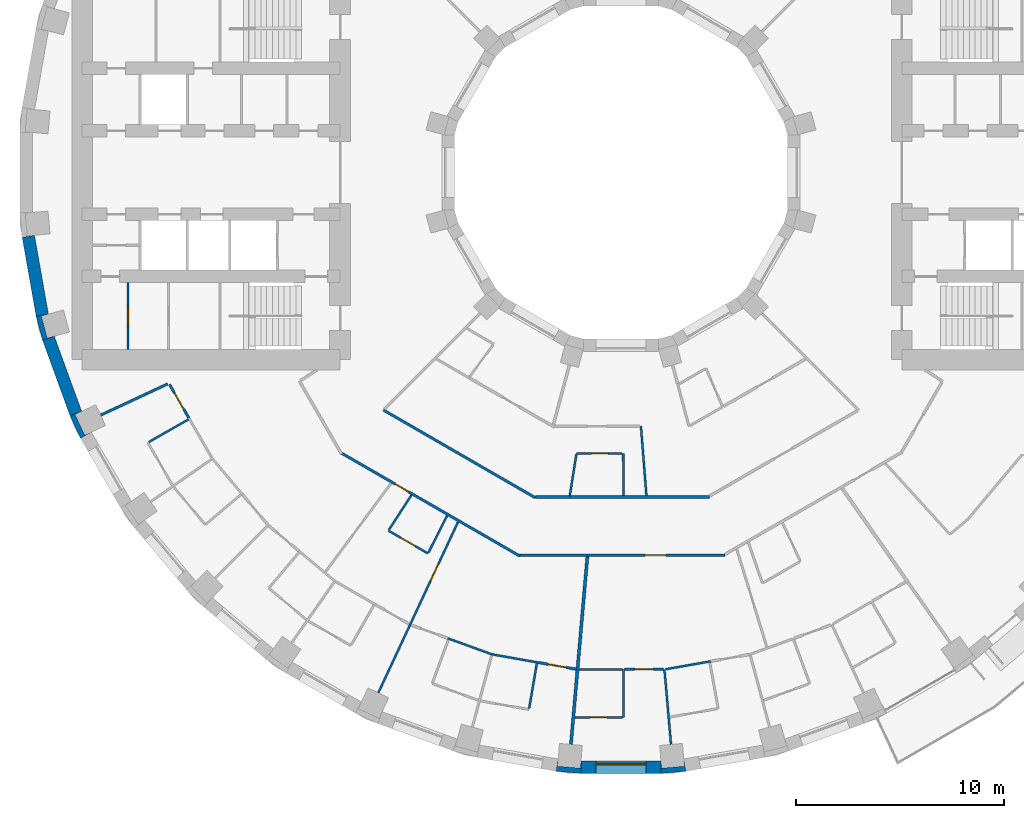
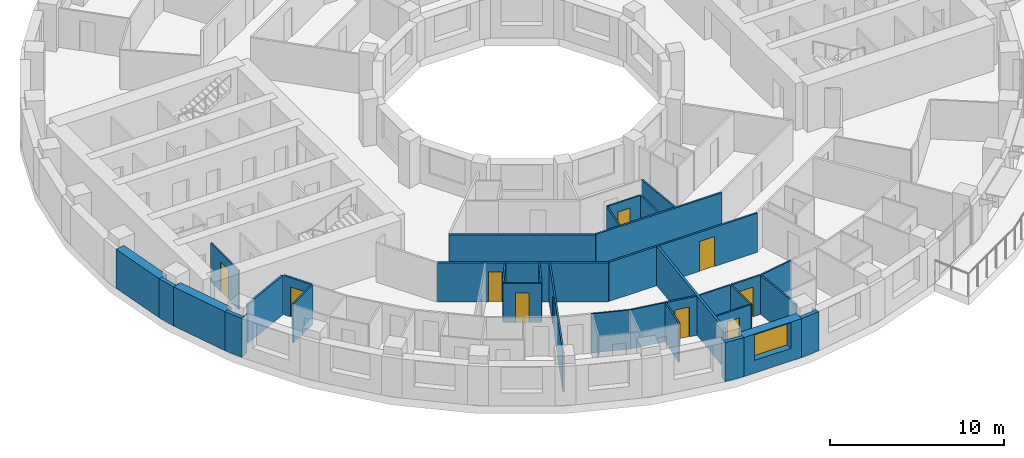
# One storey, part 5 of 15: 34 walls, 10 doors, 1 window, 11 openings.
"""IFC4 building model written with IfcOpenShell, lengths in metres."""

from ifc_helpers import new_model, si_unit, direction, frame, frame_2d, origin, place, context, subcontext, project, spatial, polyline, rectangle, outline, extrude, material, layer, layer_set, type_object, element, fill, save


model = new_model("IFC4")

# Units and contexts
model_context = context("Model", 3, precision=1e-05, world=origin(), true_north=direction((0.0, 1.0)))
body_context = subcontext(model_context, "Body", "Model", "MODEL_VIEW")
ifc_project = project(units=[si_unit("LENGTHUNIT", "METRE"), si_unit("AREAUNIT", "SQUARE_METRE"), si_unit("VOLUMEUNIT", "CUBIC_METRE"), si_unit("PLANEANGLEUNIT", "RADIAN"), si_unit("MASSUNIT", "GRAM", prefix="KILO")], contexts=[model_context])

# Site, building, storey
site_placement = place(None, origin())
site = spatial("IfcSite", under=ifc_project, at=site_placement, CompositionType="ELEMENT")
building_placement = place(site_placement, origin())
building = spatial("IfcBuilding", under=site, at=building_placement, Name="Saqina Gate Tower", CompositionType="ELEMENT")
storey_placement = place(building_placement, frame((0.0, 0.0, 36.199951171875)))
storey = spatial("IfcBuildingStorey", under=building, at=storey_placement, Name="L09", CompositionType="ELEMENT", Elevation=36.199951171875)

# Walls
ifc_material_1 = material(Name="Brick masonry (red)", Category="masonry")
wall_type_1 = type_object("IfcWallType", Name="BRICK PIER COPING RED", PredefinedType="SOLIDWALL", material=ifc_material_1)
wall_1_placement = place(storey_placement, origin())
element("IfcWall", 1, at=wall_1_placement, inside=storey, type_object=wall_type_1, Name="Pier cap L09 column 20", PredefinedType="SOLIDWALL", context=body_context, shape_type="SweptSolid", body=[
    extrude(outline(polyline([(-28.11669921875, -6.910400390625), (-27.80517578125, -8.073974609375), (-27.2412109375, -7.86865234375), (-27.57958984375, -7.95947265625), (-27.864501953125, -6.896728515625), (-27.52587890625, -6.80615234375), (-28.11669921875, -6.910400390625)])), origin(), (0.0, 0.0, 1.0), 2.75),
])
wall_2_placement = place(storey_placement, origin())
element("IfcWall", 2, at=wall_2_placement, inside=storey, type_object=wall_type_1, Name="Pier cap L09 column 21", PredefinedType="SOLIDWALL", context=body_context, shape_type="SweptSolid", body=[
    extrude(outline(polyline([(-25.980712890625, -12.779541015625), (-25.4609375, -12.4794921875), (-25.778564453125, -12.627685546875), (-26.243408203125, -11.630615234375), (-25.92578125, -11.482666015625), (-26.48974609375, -11.687744140625), (-25.980712890625, -12.779541015625)])), origin(), (0.0, 0.0, 1.0), 2.75),
])
wall_3_placement = place(storey_placement, origin())
element("IfcWall", 3, at=wall_3_placement, inside=storey, type_object=wall_type_1, Name="Pier cap L09 column 27", PredefinedType="SOLIDWALL", context=body_context, shape_type="SweptSolid", body=[
    extrude(outline(polyline([(-3.122802734375, -28.78466796875), (-1.9228515625, -28.8896484375), (-1.9228515625, -28.28955078125), (-1.95361328125, -28.638671875), (-3.04931640625, -28.54296875), (-3.018798828125, -28.19384765625), (-3.122802734375, -28.78466796875)])), origin(), (0.0, 0.0, 1.0), 2.75),
])
wall_4_placement = place(storey_placement, origin())
element("IfcWall", 4, at=wall_4_placement, inside=storey, type_object=wall_type_1, Name="Pier cap L09 column 28", PredefinedType="SOLIDWALL", context=body_context, shape_type="SweptSolid", body=[
    extrude(outline(polyline([(1.9228515625, -28.8896484375), (3.122802734375, -28.78466796875), (3.018798828125, -28.19384765625), (3.04931640625, -28.54296875), (1.95361328125, -28.638671875), (1.9228515625, -28.28955078125), (1.9228515625, -28.8896484375)])), origin(), (0.0, 0.0, 1.0), 2.75),
])

# Wall, opening, door
ifc_material_2 = material(Name="Gypsum board on steel studs", Category="steel")
ifc_layer_1 = layer(ifc_material_2, 0.10009765625)
ifc_layer_set_1 = layer_set([ifc_layer_1], Name="CORE PARTITION")
wall_type_2 = type_object("IfcWallType", Name="CORE PARTITION", PredefinedType="PARTITIONING", material=ifc_layer_set_1)
wall_5_placement = place(storey_placement, frame((-23.697509765625, -8.5, 0.0), z_axis=(0.0, 0.0, 1.0), x_axis=(0.0, 1.0, 0.0)))
wall_5 = element("IfcWall", 5, at=wall_5_placement, inside=storey, type_object=wall_type_2, Name="L09-CP-W14", PredefinedType="PARTITIONING", context=body_context, shape_type="SweptSolid", body=[
    extrude(rectangle(XDim=3.199951171875, YDim=0.10009765625, at=frame_2d((1.60009765625, 0.0))), origin(), (0.0, 0.0, 1.0), 2.75),
])
opening_1_placement = place(wall_5_placement, frame((1.14990234375, 0.0, 0.0)))
opening_1 = element("IfcOpeningElement", 6, at=opening_1_placement, cuts=wall_5, Name="Opening G02-D115", PredefinedType="OPENING", context=body_context, shape_type="SweptSolid", body=[
    extrude(rectangle(XDim=0.89990234375, YDim=2.10009765625, at=frame_2d((0.449951171875, 1.050048828125))), frame((0.0, 0.06201171875, 0.0), z_axis=(0.0, -1.0, 0.0), x_axis=(1.0, 0.0, 0.0)), (0.0, 0.0, 1.0), 0.1240234375),
])
ifc_material_3 = material(Name="Steel-framed fire door leaf, EI 60", Category="steel")
door_type_1 = type_object("IfcDoorType", Name="SERVICE ROOM DOOR 900", OperationType="SINGLE_SWING_LEFT", PredefinedType="DOOR", material=ifc_material_3)
door_1_placement = place(opening_1_placement, frame((0.89990234375, 0.0, 0.0), z_axis=(0.0, 0.0, 1.0), x_axis=(-1.0, 0.0, 0.0)))
door_1 = element("IfcDoor", 7, at=door_1_placement, inside=storey, type_object=door_type_1, Name="L09-CD-W26", OperationType="SINGLE_SWING_RIGHT", OverallHeight=2.10009765625, OverallWidth=0.89990234375, PredefinedType="DOOR", context=body_context, shape_type="SweptSolid", body=[
    extrude(rectangle(XDim=0.89990234375, YDim=2.10009765625, at=frame_2d((0.449951171875, 1.050048828125))), frame((0.0, 0.02490234375, 0.0), z_axis=(0.0, -1.0, 0.0), x_axis=(1.0, 0.0, 0.0)), (0.0, 0.0, 1.0), 0.050048828125),
])
fill(opening_1, door_1)

# Wall, opening, window
ifc_material_4 = material(Name="Brick masonry (red)", Category="masonry")
ifc_layer_2 = layer(ifc_material_4, 0.60009765625)
ifc_layer_set_2 = layer_set([ifc_layer_2], Name="FW-BRICK-RED")
wall_type_3 = type_object("IfcWallType", Name="FW-BRICK-RED", PredefinedType="SOLIDWALL", material=ifc_layer_set_2)
wall_6_placement = place(storey_placement, frame((-1.9228515625, -28.589599609375, 0.0), z_axis=(0.0, 0.0, 1.0), x_axis=(1.0, 0.0, 0.0)))
wall_6 = element("IfcWall", 8, at=wall_6_placement, inside=storey, type_object=wall_type_3, Name="Facade wall L09 facet 27", PredefinedType="SOLIDWALL", context=body_context, shape_type="SweptSolid", body=[
    extrude(rectangle(XDim=3.845703125, YDim=0.60009765625, at=frame_2d((1.9228515625, 0.0))), origin(), (0.0, 0.0, 1.0), 2.75),
])
opening_2_placement = place(wall_6_placement, frame((0.722900390625, 0.0, 0.89990234375)))
opening_2 = element("IfcOpeningElement", 9, at=opening_2_placement, cuts=wall_6, Name="Opening G02-W20", PredefinedType="OPENING", context=body_context, shape_type="SweptSolid", body=[
    extrude(rectangle(XDim=2.39990234375, YDim=1.800048828125, at=frame_2d((1.199951171875, 0.89990234375))), frame((0.0, 0.31201171875, 0.0), z_axis=(0.0, -1.0, 0.0), x_axis=(1.0, 0.0, 0.0)), (0.0, 0.0, 1.0), 0.6240234375),
])
ifc_material_5 = material(Name="Aluminium glazing", Category="aluminium")
window_type = type_object("IfcWindowType", Name="WN-A", PartitioningType="SINGLE_PANEL", PredefinedType="WINDOW", material=ifc_material_5)
window_placement = place(opening_2_placement, origin())
window = element("IfcWindow", 10, at=window_placement, inside=storey, type_object=window_type, Name="Window L09 facet 27", OverallHeight=1.800048828125, OverallWidth=2.39990234375, PartitioningType="SINGLE_PANEL", PredefinedType="WINDOW", context=body_context, shape_type="SweptSolid", body=[
    extrude(rectangle(XDim=2.39990234375, YDim=1.800048828125, at=frame_2d((1.199951171875, 0.89990234375))), frame((0.0, 0.179931640625, 0.0), z_axis=(0.0, -1.0, 0.0), x_axis=(1.0, 0.0, 0.0)), (0.0, 0.0, 1.0), 0.06005859375),
])
fill(opening_2, window)

# Walls
ifc_material_6 = material(Name="Glazed ceramic tile", Category="ceramic")
ifc_layer_3 = layer(ifc_material_6, 0.60009765625)
ifc_layer_set_3 = layer_set([ifc_layer_3], Name="FW-TILE")
wall_type_4 = type_object("IfcWallType", Name="FW-TILE", PredefinedType="SOLIDWALL", material=ifc_layer_set_3)
wall_7_placement = place(storey_placement, frame((-27.523193359375, -7.97119140625, 0.0), z_axis=(0.0, 0.0, 1.0), x_axis=(0.342028474173, -0.939689588564, 0.0)))
element("IfcWall", 11, at=wall_7_placement, inside=storey, type_object=wall_type_4, Name="Facade wall L09 facet 20", PredefinedType="SOLIDWALL", context=body_context, shape_type="SweptSolid", body=[
    extrude(rectangle(XDim=3.845947265625, YDim=0.60009765625, at=frame_2d((1.9228515625, 0.0))), origin(), (0.0, 0.0, 1.0), 2.75),
])
ifc_material_7 = material(Name="Glazed ceramic tile (white)", Category="ceramic")
ifc_layer_4 = layer(ifc_material_7, 0.60009765625)
ifc_layer_set_4 = layer_set([ifc_layer_4], Name="FW-TILE-WH")
wall_type_5 = type_object("IfcWallType", Name="FW-TILE-WH", PredefinedType="SOLIDWALL", material=ifc_layer_set_4)
wall_8_placement = place(storey_placement, frame((-28.4892578125, -3.07080078125, 0.0), z_axis=(0.0, 0.0, 1.0), x_axis=(0.173687553279, -0.984800809218, 0.0)))
element("IfcWall", 12, at=wall_8_placement, inside=storey, type_object=wall_type_5, Name="Facade wall L09 facet 19", PredefinedType="SOLIDWALL", context=body_context, shape_type="SweptSolid", body=[
    extrude(rectangle(XDim=3.845703125, YDim=0.60009765625, at=frame_2d((1.9228515625, 0.0))), origin(), (0.0, 0.0, 1.0), 2.75),
])
ifc_material_8 = material(Name="Gypsum board on steel studs, 100 mm", Category="steel")
ifc_layer_5 = layer(ifc_material_8, 0.10009765625)
ifc_layer_set_5 = layer_set([ifc_layer_5], Name="PARTITION 100")
wall_type_6 = type_object("IfcWallType", Name="PARTITION 100", PredefinedType="PARTITIONING", material=ifc_layer_set_5)
wall_9_placement = place(storey_placement, frame((0.114990234375, -23.889892578125, 0.0), z_axis=(0.0, 0.0, 1.0), x_axis=(0.004776508509, -0.999988592418, 0.0)))
element("IfcWall", 13, at=wall_9_placement, inside=storey, type_object=wall_type_6, Name="PARTITION PW3-01", PredefinedType="PARTITIONING", context=body_context, shape_type="SweptSolid", body=[
    extrude(rectangle(XDim=2.300048828125, YDim=0.10009765625, at=frame_2d((1.14990234375, 0.0))), origin(), (0.0, 0.0, 1.0), 2.75),
])
wall_10_placement = place(storey_placement, frame((0.10791015625, -13.5, 0.0), z_axis=(0.0, 0.0, 1.0), x_axis=(0.008147345204, -0.999966809832, 0.0)))
element("IfcWall", 14, at=wall_10_placement, inside=storey, type_object=wall_type_6, Name="PARTITION PW3-02", PredefinedType="PARTITIONING", context=body_context, shape_type="SweptSolid", body=[
    extrude(rectangle(XDim=2.03759765625, YDim=0.10009765625, at=frame_2d((1.018798828125, 0.0))), origin(), (0.0, 0.0, 1.0), 2.75),
])
wall_11_placement = place(storey_placement, frame((0.9599609375, -12.199951171875, 0.0), z_axis=(0.0, 0.0, 1.0), x_axis=(0.078609037554, -0.996905521709, 0.0)))
element("IfcWall", 15, at=wall_11_placement, inside=storey, type_object=wall_type_6, Name="PARTITION PW3-03", PredefinedType="PARTITIONING", context=body_context, shape_type="SweptSolid", body=[
    extrude(rectangle(XDim=3.347900390625, YDim=0.10009765625, at=frame_2d((1.673828125, 0.0))), origin(), (0.0, 0.0, 1.0), 2.75),
])
wall_12_placement = place(storey_placement, frame((2.090087890625, -23.889892578125, 0.0), z_axis=(0.0, 0.0, 1.0), x_axis=(0.08706456859, -0.996202670593, 0.0)))
element("IfcWall", 16, at=wall_12_placement, inside=storey, type_object=wall_type_6, Name="PARTITION PW3-06", PredefinedType="PARTITIONING", context=body_context, shape_type="SweptSolid", body=[
    extrude(rectangle(XDim=3.60888671875, YDim=0.10009765625, at=frame_2d((1.804443359375, 0.0))), origin(), (0.0, 0.0, 1.0), 2.75),
])

# Wall, opening, door
wall_13_placement = place(storey_placement, frame((-11.179931640625, -17.216064453125, 0.0), z_axis=(0.0, 0.0, 1.0), x_axis=(0.865970937006, -0.500094327363, 0.0)))
wall_13 = element("IfcWall", 17, at=wall_13_placement, inside=storey, type_object=wall_type_6, Name="PARTITION PW3-42", PredefinedType="PARTITIONING", context=body_context, shape_type="SweptSolid", body=[
    extrude(rectangle(XDim=2.197265625, YDim=0.10009765625, at=frame_2d((1.0986328125, 0.0))), origin(), (0.0, 0.0, 1.0), 2.75),
])
opening_3_placement = place(wall_13_placement, frame((0.69873046875, 0.0, 0.0)))
opening_3 = element("IfcOpeningElement", 18, at=opening_3_placement, cuts=wall_13, Name="Opening G02-D42", PredefinedType="OPENING", context=body_context, shape_type="SweptSolid", body=[
    extrude(rectangle(XDim=0.800048828125, YDim=2.10009765625, at=frame_2d((0.39990234375, 1.050048828125))), frame((0.0, 0.06201171875, 0.0), z_axis=(0.0, -1.0, 0.0), x_axis=(1.0, 0.0, 0.0)), (0.0, 0.0, 1.0), 0.1240234375),
])
ifc_material_9 = material(Name="Timber door leaf, 800 mm", Category="wood")
door_type_2 = type_object("IfcDoorType", Name="DOOR 800 TIMBER", OperationType="SINGLE_SWING_LEFT", PredefinedType="DOOR", material=ifc_material_9)
door_2_placement = place(opening_3_placement, frame((0.800048828125, 0.0, 0.0), z_axis=(0.0, 0.0, 1.0), x_axis=(-1.0, 0.0, 0.0)))
door_2 = element("IfcDoor", 19, at=door_2_placement, inside=storey, type_object=door_type_2, Name="DOOR G02-D42", OperationType="SINGLE_SWING_LEFT", OverallHeight=2.10009765625, OverallWidth=0.800048828125, PredefinedType="DOOR", context=body_context, shape_type="SweptSolid", body=[
    extrude(rectangle(XDim=0.800048828125, YDim=2.10009765625, at=frame_2d((0.39990234375, 1.050048828125))), frame((0.0, 0.02490234375, 0.0), z_axis=(0.0, -1.0, 0.0), x_axis=(1.0, 0.0, 0.0)), (0.0, 0.0, 1.0), 0.050048828125),
])
fill(opening_3, door_2)

# Walls
wall_14_placement = place(storey_placement, frame((-8.325927734375, -22.392822265625, 0.0), z_axis=(0.0, 0.0, 1.0), x_axis=(0.939700645731, -0.341998094165, 0.0)))
element("IfcWall", 20, at=wall_14_placement, inside=storey, type_object=wall_type_6, Name="PARTITION PW3-50", PredefinedType="PARTITIONING", context=body_context, shape_type="SweptSolid", body=[
    extrude(rectangle(XDim=2.3056640625, YDim=0.10009765625, at=frame_2d((1.15283203125, 0.0))), origin(), (0.0, 0.0, 1.0), 2.75),
])
wall_15_placement = place(storey_placement, frame((-6.15771484375, -23.172607421875, 0.0), z_axis=(0.0, 0.0, 1.0), x_axis=(0.984800270927, -0.173690605338, 0.0)))
element("IfcWall", 21, at=wall_15_placement, inside=storey, type_object=wall_type_6, Name="PARTITION PW3-54", PredefinedType="PARTITIONING", context=body_context, shape_type="SweptSolid", body=[
    extrude(rectangle(XDim=2.205322265625, YDim=0.10009765625, at=frame_2d((1.1025390625, 0.0))), origin(), (0.0, 0.0, 1.0), 2.75),
])

# Wall, opening, door
wall_16_placement = place(storey_placement, frame((-2.216064453125, -26.18994140625, 0.0), z_axis=(0.0, 0.0, 1.0), x_axis=(1.0, 0.0, 0.0)))
wall_16 = element("IfcWall", 22, at=wall_16_placement, inside=storey, type_object=wall_type_6, Name="PARTITION PW3-57", PredefinedType="PARTITIONING", context=body_context, shape_type="SweptSolid", body=[
    extrude(rectangle(XDim=2.2919921875, YDim=0.10009765625, at=frame_2d((1.14599609375, 0.0))), origin(), (0.0, 0.0, 1.0), 2.75),
])
opening_4_placement = place(wall_16_placement, frame((0.7333984375, 0.0, 0.0)))
opening_4 = element("IfcOpeningElement", 23, at=opening_4_placement, cuts=wall_16, Name="Opening G02-D52", PredefinedType="OPENING", context=body_context, shape_type="SweptSolid", body=[
    extrude(rectangle(XDim=0.800048828125, YDim=2.10009765625, at=frame_2d((0.39990234375, 1.050048828125))), frame((0.0, 0.06201171875, 0.0), z_axis=(0.0, -1.0, 0.0), x_axis=(1.0, 0.0, 0.0)), (0.0, 0.0, 1.0), 0.1240234375),
])
door_3_placement = place(opening_4_placement, frame((0.800048828125, 0.0, 0.0), z_axis=(0.0, 0.0, 1.0), x_axis=(-1.0, 0.0, 0.0)))
door_3 = element("IfcDoor", 24, at=door_3_placement, inside=storey, type_object=door_type_2, Name="DOOR G02-D52", OperationType="SINGLE_SWING_RIGHT", OverallHeight=2.10009765625, OverallWidth=0.800048828125, PredefinedType="DOOR", context=body_context, shape_type="SweptSolid", body=[
    extrude(rectangle(XDim=0.800048828125, YDim=2.10009765625, at=frame_2d((0.39990234375, 1.050048828125))), frame((0.0, 0.02490234375, 0.0), z_axis=(0.0, -1.0, 0.0), x_axis=(1.0, 0.0, 0.0)), (0.0, 0.0, 1.0), 0.050048828125),
])
fill(opening_4, door_3)

# Wall
wall_17_placement = place(storey_placement, frame((-2.014892578125, -23.889892578125, 0.0), z_axis=(0.0, 0.0, 1.0), x_axis=(1.0, 0.0, 0.0)))
element("IfcWall", 25, at=wall_17_placement, inside=storey, type_object=wall_type_6, Name="PARTITION PW3-58", PredefinedType="PARTITIONING", context=body_context, shape_type="SweptSolid", body=[
    extrude(rectangle(XDim=2.079833984375, YDim=0.10009765625, at=frame_2d((1.0400390625, 0.0))), origin(), (0.0, 0.0, 1.0), 2.75),
])

# Wall, opening, door
wall_18_placement = place(storey_placement, frame((-2.137939453125, -13.5, 0.0), z_axis=(0.0, 0.0, 1.0), x_axis=(1.0, 0.0, 0.0)))
wall_18 = element("IfcWall", 26, at=wall_18_placement, inside=storey, type_object=wall_type_6, Name="PARTITION PW3-59", PredefinedType="PARTITIONING", context=body_context, shape_type="SweptSolid", body=[
    extrude(rectangle(XDim=2.196044921875, YDim=0.10009765625, at=frame_2d((1.09814453125, 0.0))), origin(), (0.0, 0.0, 1.0), 2.75),
])
opening_5_placement = place(wall_18_placement, frame((0.722900390625, 0.0, 0.0)))
opening_5 = element("IfcOpeningElement", 27, at=opening_5_placement, cuts=wall_18, Name="Opening G02-D51", PredefinedType="OPENING", context=body_context, shape_type="SweptSolid", body=[
    extrude(rectangle(XDim=0.800048828125, YDim=2.10009765625, at=frame_2d((0.39990234375, 1.050048828125))), frame((0.0, 0.06201171875, 0.0), z_axis=(0.0, -1.0, 0.0), x_axis=(1.0, 0.0, 0.0)), (0.0, 0.0, 1.0), 0.1240234375),
])
door_4_placement = place(opening_5_placement, origin())
door_4 = element("IfcDoor", 28, at=door_4_placement, inside=storey, type_object=door_type_2, Name="DOOR G02-D51", OperationType="SINGLE_SWING_RIGHT", OverallHeight=2.10009765625, OverallWidth=0.800048828125, PredefinedType="DOOR", context=body_context, shape_type="SweptSolid", body=[
    extrude(rectangle(XDim=0.800048828125, YDim=2.10009765625, at=frame_2d((0.39990234375, 1.050048828125))), frame((0.0, 0.02490234375, 0.0), z_axis=(0.0, -1.0, 0.0), x_axis=(1.0, 0.0, 0.0)), (0.0, 0.0, 1.0), 0.050048828125),
])
fill(opening_5, door_4)

# Walls
wall_19_placement = place(storey_placement, frame((2.151611328125, -23.879150390625, 0.0), z_axis=(0.0, 0.0, 1.0), x_axis=(0.984803725636, 0.173671016504, 0.0)))
element("IfcWall", 29, at=wall_19_placement, inside=storey, type_object=wall_type_6, Name="PARTITION PW3-66", PredefinedType="PARTITIONING", context=body_context, shape_type="SweptSolid", body=[
    extrude(rectangle(XDim=2.193115234375, YDim=0.10009765625, at=frame_2d((1.0966796875, 0.0))), origin(), (0.0, 0.0, 1.0), 2.75),
])
wall_20_placement = place(storey_placement, frame((-22.70068359375, -12.960205078125, 0.0), z_axis=(0.0, 0.0, 1.0), x_axis=(0.86847529617, 0.495732447942, 0.0)))
element("IfcWall", 30, at=wall_20_placement, inside=storey, type_object=wall_type_6, Name="PARTITION PW3-73", PredefinedType="PARTITIONING", context=body_context, shape_type="SweptSolid", body=[
    extrude(rectangle(XDim=2.199462890625, YDim=0.10009765625, at=frame_2d((1.099609375, 0.0))), origin(), (0.0, 0.0, 1.0), 2.75),
])
wall_21_placement = place(storey_placement, frame((-11.15283203125, -17.174072265625, 0.0), z_axis=(0.0, 0.0, 1.0), x_axis=(0.544664848093, 0.838653804172, 0.0)))
element("IfcWall", 31, at=wall_21_placement, inside=storey, type_object=wall_type_6, Name="PARTITION PW3-99", PredefinedType="PARTITIONING", context=body_context, shape_type="SweptSolid", body=[
    extrude(rectangle(XDim=1.98974609375, YDim=0.10009765625, at=frame_2d((0.994873046875, 0.0))), origin(), (0.0, 0.0, 1.0), 2.75),
])
wall_22_placement = place(storey_placement, frame((-9.25439453125, -18.2705078125, 0.0), z_axis=(0.0, 0.0, 1.0), x_axis=(0.451770869898, 0.89213400401, 0.0)))
element("IfcWall", 32, at=wall_22_placement, inside=storey, type_object=wall_type_6, Name="PARTITION PW3-102", PredefinedType="PARTITIONING", context=body_context, shape_type="SweptSolid", body=[
    extrude(rectangle(XDim=1.990234375, YDim=0.10009765625, at=frame_2d((0.9951171875, 0.0))), origin(), (0.0, 0.0, 1.0), 2.75),
])

# Wall, opening, door
wall_23_placement = place(storey_placement, frame((-11.660400390625, -25.0048828125, 0.0), z_axis=(0.0, 0.0, 1.0), x_axis=(0.422646386434, 0.906294671745, 0.0)))
wall_23 = element("IfcWall", 33, at=wall_23_placement, inside=storey, type_object=wall_type_6, Name="PARTITION PW3-104", PredefinedType="PARTITIONING", context=body_context, shape_type="SweptSolid", body=[
    extrude(rectangle(XDim=9.056884765625, YDim=0.10009765625, at=frame_2d((4.5283203125, 0.0))), origin(), (0.0, 0.0, 1.0), 2.75),
])
opening_6_placement = place(wall_23_placement, frame((5.914306640625, 0.0, 0.0)))
opening_6 = element("IfcOpeningElement", 34, at=opening_6_placement, cuts=wall_23, Name="Opening G02-D45", PredefinedType="OPENING", context=body_context, shape_type="SweptSolid", body=[
    extrude(rectangle(XDim=0.89990234375, YDim=2.10009765625, at=frame_2d((0.449951171875, 1.050048828125))), frame((0.0, 0.06201171875, 0.0), z_axis=(0.0, -1.0, 0.0), x_axis=(1.0, 0.0, 0.0)), (0.0, 0.0, 1.0), 0.1240234375),
])
ifc_material_10 = material(Name="Timber door leaf, 900 mm", Category="wood")
door_type_3 = type_object("IfcDoorType", Name="DOOR 900 TIMBER", OperationType="SINGLE_SWING_LEFT", PredefinedType="DOOR", material=ifc_material_10)
door_5_placement = place(opening_6_placement, frame((0.89990234375, 0.0, 0.0), z_axis=(0.0, 0.0, 1.0), x_axis=(-1.0, 0.0, 0.0)))
door_5 = element("IfcDoor", 35, at=door_5_placement, inside=storey, type_object=door_type_3, Name="DOOR G02-D45", OperationType="SINGLE_SWING_LEFT", OverallHeight=2.10009765625, OverallWidth=0.89990234375, PredefinedType="DOOR", context=body_context, shape_type="SweptSolid", body=[
    extrude(rectangle(XDim=0.89990234375, YDim=2.10009765625, at=frame_2d((0.449951171875, 1.050048828125))), frame((0.0, 0.02490234375, 0.0), z_axis=(0.0, -1.0, 0.0), x_axis=(1.0, 0.0, 0.0)), (0.0, 0.0, 1.0), 0.050048828125),
])
fill(opening_6, door_5)

# Walls
wall_24_placement = place(storey_placement, frame((-4.41455078125, -25.7646484375, 0.0), z_axis=(0.0, 0.0, 1.0), x_axis=(0.168650911642, 0.985675844283, 0.0)))
element("IfcWall", 36, at=wall_24_placement, inside=storey, type_object=wall_type_6, Name="PARTITION PW3-110", PredefinedType="PARTITIONING", context=body_context, shape_type="SweptSolid", body=[
    extrude(rectangle(XDim=2.187255859375, YDim=0.10009765625, at=frame_2d((1.09375, 0.0))), origin(), (0.0, 0.0, 1.0), 2.75),
])
wall_25_placement = place(storey_placement, frame((-2.461181640625, -15.538330078125, 0.0), z_axis=(0.0, 0.0, 1.0), x_axis=(0.156628645525, 0.98765756586, 0.0)))
element("IfcWall", 37, at=wall_25_placement, inside=storey, type_object=wall_type_6, Name="PARTITION PW3-111", PredefinedType="PARTITIONING", context=body_context, shape_type="SweptSolid", body=[
    extrude(rectangle(XDim=2.013916015625, YDim=0.10009765625, at=frame_2d((1.0068359375, 0.0))), origin(), (0.0, 0.0, 1.0), 2.75),
])

# Wall, opening, door
ifc_material_11 = material(Name="Gypsum board on steel studs, 125 mm, fire rated", Category="steel")
ifc_layer_6 = layer(ifc_material_11, 0.125)
ifc_layer_set_6 = layer_set([ifc_layer_6], Name="PARTITION EI 30 125")
wall_type_7 = type_object("IfcWallType", Name="PARTITION EI 30 125", PredefinedType="PARTITIONING", material=ifc_layer_set_6)
wall_26_placement = place(storey_placement, frame((-21.70263671875, -10.189208984375, 0.0), z_axis=(0.0, 0.0, 1.0), x_axis=(0.499862453367, -0.866104801807, 0.0)))
wall_26 = element("IfcWall", 38, at=wall_26_placement, inside=storey, type_object=wall_type_7, Name="PARTITION PW1-02", PredefinedType="PARTITIONING", context=body_context, shape_type="SweptSolid", body=[
    extrude(rectangle(XDim=1.86181640625, YDim=0.125, at=frame_2d((0.930908203125, 0.0))), origin(), (0.0, 0.0, 1.0), 2.75),
])
opening_7_placement = place(wall_26_placement, frame((0.475830078125, 0.0, 0.0)))
opening_7 = element("IfcOpeningElement", 39, at=opening_7_placement, cuts=wall_26, Name="Opening G02-D32", PredefinedType="OPENING", context=body_context, shape_type="SweptSolid", body=[
    extrude(rectangle(XDim=0.89990234375, YDim=2.10009765625, at=frame_2d((0.449951171875, 1.050048828125))), frame((0.0, 0.074462890625, 0.0), z_axis=(0.0, -1.0, 0.0), x_axis=(1.0, 0.0, 0.0)), (0.0, 0.0, 1.0), 0.14892578125),
])
ifc_material_12 = material(Name="Fire door leaf EI 30, 900 mm")
door_type_4 = type_object("IfcDoorType", Name="DOOR 900 EI 30", OperationType="SINGLE_SWING_LEFT", PredefinedType="DOOR", material=ifc_material_12)
door_6_placement = place(opening_7_placement, origin())
door_6 = element("IfcDoor", 40, at=door_6_placement, inside=storey, type_object=door_type_4, Name="DOOR G02-D32", OperationType="SINGLE_SWING_LEFT", OverallHeight=2.10009765625, OverallWidth=0.89990234375, PredefinedType="DOOR", context=body_context, shape_type="SweptSolid", body=[
    extrude(rectangle(XDim=0.89990234375, YDim=2.10009765625, at=frame_2d((0.449951171875, 1.050048828125))), frame((0.0, 0.02490234375, 0.0), z_axis=(0.0, -1.0, 0.0), x_axis=(1.0, 0.0, 0.0)), (0.0, 0.0, 1.0), 0.050048828125),
])
fill(opening_7, door_6)

wall_27_placement = place(storey_placement, frame((-13.415771484375, -13.501220703125, 0.0), z_axis=(0.0, 0.0, 1.0), x_axis=(0.86605048973, -0.49995654735, 0.0)))
wall_27 = element("IfcWall", 41, at=wall_27_placement, inside=storey, type_object=wall_type_7, Name="PARTITION PW1-16", PredefinedType="PARTITIONING", context=body_context, shape_type="SweptSolid", body=[
    extrude(rectangle(XDim=9.87060546875, YDim=0.125, at=frame_2d((4.935302734375, 0.0))), origin(), (0.0, 0.0, 1.0), 2.75),
])
opening_8_placement = place(wall_27_placement, frame((2.9375, 0.0, 0.0)))
opening_8 = element("IfcOpeningElement", 42, at=opening_8_placement, cuts=wall_27, Name="Opening G02-D40", PredefinedType="OPENING", context=body_context, shape_type="SweptSolid", body=[
    extrude(rectangle(XDim=0.800048828125, YDim=2.10009765625, at=frame_2d((0.39990234375, 1.050048828125))), frame((0.0, 0.074462890625, 0.0), z_axis=(0.0, -1.0, 0.0), x_axis=(1.0, 0.0, 0.0)), (0.0, 0.0, 1.0), 0.14892578125),
])
ifc_material_13 = material(Name="Fire door leaf EI 30, 800 mm")
door_type_5 = type_object("IfcDoorType", Name="DOOR 800 EI 30", OperationType="SINGLE_SWING_LEFT", PredefinedType="DOOR", material=ifc_material_13)
door_7_placement = place(opening_8_placement, frame((0.800048828125, 0.0, 0.0), z_axis=(0.0, 0.0, 1.0), x_axis=(-1.0, 0.0, 0.0)))
door_7 = element("IfcDoor", 43, at=door_7_placement, inside=storey, type_object=door_type_5, Name="DOOR G02-D40", OperationType="SINGLE_SWING_RIGHT", OverallHeight=2.10009765625, OverallWidth=0.800048828125, PredefinedType="DOOR", context=body_context, shape_type="SweptSolid", body=[
    extrude(rectangle(XDim=0.800048828125, YDim=2.10009765625, at=frame_2d((0.39990234375, 1.050048828125))), frame((0.0, 0.02490234375, 0.0), z_axis=(0.0, -1.0, 0.0), x_axis=(1.0, 0.0, 0.0)), (0.0, 0.0, 1.0), 0.050048828125),
])
fill(opening_8, door_7)

# Wall
wall_28_placement = place(storey_placement, frame((-11.419921875, -11.419921875, 0.0), z_axis=(0.0, 0.0, 1.0), x_axis=(0.866026957163, -0.49999730946, 0.0)))
element("IfcWall", 44, at=wall_28_placement, inside=storey, type_object=wall_type_7, Name="PARTITION PW1-17", PredefinedType="PARTITIONING", context=body_context, shape_type="SweptSolid", body=[
    extrude(rectangle(XDim=8.43212890625, YDim=0.125, at=frame_2d((4.216064453125, 0.0))), origin(), (0.0, 0.0, 1.0), 2.75),
])

# Wall, opening, door
wall_29_placement = place(storey_placement, frame((-3.98583984375, -23.5556640625, 0.0), z_axis=(0.0, 0.0, 1.0), x_axis=(0.984806134001, -0.173657359285, 0.0)))
wall_29 = element("IfcWall", 45, at=wall_29_placement, inside=storey, type_object=wall_type_7, Name="PARTITION PW1-24", PredefinedType="PARTITIONING", context=body_context, shape_type="SweptSolid", body=[
    extrude(rectangle(XDim=1.85009765625, YDim=0.125, at=frame_2d((0.925048828125, 0.0))), origin(), (0.0, 0.0, 1.0), 2.75),
])
opening_9_placement = place(wall_29_placement, frame((0.487548828125, 0.0, 0.0)))
opening_9 = element("IfcOpeningElement", 46, at=opening_9_placement, cuts=wall_29, Name="Opening G02-D49", PredefinedType="OPENING", context=body_context, shape_type="SweptSolid", body=[
    extrude(rectangle(XDim=0.89990234375, YDim=2.10009765625, at=frame_2d((0.449951171875, 1.050048828125))), frame((0.0, 0.074462890625, 0.0), z_axis=(0.0, -1.0, 0.0), x_axis=(1.0, 0.0, 0.0)), (0.0, 0.0, 1.0), 0.14892578125),
])
door_8_placement = place(opening_9_placement, origin())
door_8 = element("IfcDoor", 47, at=door_8_placement, inside=storey, type_object=door_type_4, Name="DOOR G02-D49", OperationType="SINGLE_SWING_RIGHT", OverallHeight=2.10009765625, OverallWidth=0.89990234375, PredefinedType="DOOR", context=body_context, shape_type="SweptSolid", body=[
    extrude(rectangle(XDim=0.89990234375, YDim=2.10009765625, at=frame_2d((0.449951171875, 1.050048828125))), frame((0.0, 0.02490234375, 0.0), z_axis=(0.0, -1.0, 0.0), x_axis=(1.0, 0.0, 0.0)), (0.0, 0.0, 1.0), 0.050048828125),
])
fill(opening_9, door_8)

wall_30_placement = place(storey_placement, frame((0.1650390625, -23.889892578125, 0.0), z_axis=(0.0, 0.0, 1.0), x_axis=(1.0, 0.0, 0.0)))
wall_30 = element("IfcWall", 48, at=wall_30_placement, inside=storey, type_object=wall_type_7, Name="PARTITION PW1-26", PredefinedType="PARTITIONING", context=body_context, shape_type="SweptSolid", body=[
    extrude(rectangle(XDim=1.875, YDim=0.125, at=frame_2d((0.9375, 0.0))), origin(), (0.0, 0.0, 1.0), 2.75),
])
opening_10_placement = place(wall_30_placement, frame((0.487548828125, 0.0, 0.0)))
opening_10 = element("IfcOpeningElement", 49, at=opening_10_placement, cuts=wall_30, Name="Opening G02-D53", PredefinedType="OPENING", context=body_context, shape_type="SweptSolid", body=[
    extrude(rectangle(XDim=0.89990234375, YDim=2.10009765625, at=frame_2d((0.449951171875, 1.050048828125))), frame((0.0, 0.074462890625, 0.0), z_axis=(0.0, -1.0, 0.0), x_axis=(1.0, 0.0, 0.0)), (0.0, 0.0, 1.0), 0.14892578125),
])
door_9_placement = place(opening_10_placement, origin())
door_9 = element("IfcDoor", 50, at=door_9_placement, inside=storey, type_object=door_type_4, Name="DOOR G02-D53", OperationType="SINGLE_SWING_RIGHT", OverallHeight=2.10009765625, OverallWidth=0.89990234375, PredefinedType="DOOR", context=body_context, shape_type="SweptSolid", body=[
    extrude(rectangle(XDim=0.89990234375, YDim=2.10009765625, at=frame_2d((0.449951171875, 1.050048828125))), frame((0.0, 0.02490234375, 0.0), z_axis=(0.0, -1.0, 0.0), x_axis=(1.0, 0.0, 0.0)), (0.0, 0.0, 1.0), 0.050048828125),
])
fill(opening_10, door_9)

wall_31_placement = place(storey_placement, frame((-4.867431640625, -18.39990234375, 0.0), z_axis=(0.0, 0.0, 1.0), x_axis=(1.0, 0.0, 0.0)))
wall_31 = element("IfcWall", 51, at=wall_31_placement, inside=storey, type_object=wall_type_7, Name="PARTITION PW1-27", PredefinedType="PARTITIONING", context=body_context, shape_type="SweptSolid", body=[
    extrude(rectangle(XDim=9.86962890625, YDim=0.125, at=frame_2d((4.934814453125, 0.0))), origin(), (0.0, 0.0, 1.0), 2.75),
])
opening_11_placement = place(wall_31_placement, frame((6.027587890625, 0.0, 0.0)))
opening_11 = element("IfcOpeningElement", 52, at=opening_11_placement, cuts=wall_31, Name="Opening G02-D54", PredefinedType="OPENING", context=body_context, shape_type="SweptSolid", body=[
    extrude(rectangle(XDim=1.0, YDim=2.10009765625, at=frame_2d((0.5, 1.050048828125))), frame((0.0, 0.074462890625, 0.0), z_axis=(0.0, -1.0, 0.0), x_axis=(1.0, 0.0, 0.0)), (0.0, 0.0, 1.0), 0.14892578125),
])
ifc_material_14 = material(Name="Fire door leaf EI 30, 1000 mm")
door_type_6 = type_object("IfcDoorType", Name="DOOR 1000 EI 30", OperationType="SINGLE_SWING_LEFT", PredefinedType="DOOR", material=ifc_material_14)
door_10_placement = place(opening_11_placement, frame((1.0, 0.0, 0.0), z_axis=(0.0, 0.0, 1.0), x_axis=(-1.0, 0.0, 0.0)))
door_10 = element("IfcDoor", 53, at=door_10_placement, inside=storey, type_object=door_type_6, Name="DOOR G02-D54", OperationType="SINGLE_SWING_LEFT", OverallHeight=2.10009765625, OverallWidth=1.0, PredefinedType="DOOR", context=body_context, shape_type="SweptSolid", body=[
    extrude(rectangle(XDim=1.0, YDim=2.10009765625, at=frame_2d((0.5, 1.050048828125))), frame((0.0, 0.02490234375, 0.0), z_axis=(0.0, -1.0, 0.0), x_axis=(1.0, 0.0, 0.0)), (0.0, 0.0, 1.0), 0.050048828125),
])
fill(opening_11, door_10)

# Walls
wall_32_placement = place(storey_placement, frame((-4.117431640625, -15.60009765625, 0.0), z_axis=(0.0, 0.0, 1.0), x_axis=(1.0, 0.0, 0.0)))
element("IfcWall", 54, at=wall_32_placement, inside=storey, type_object=wall_type_7, Name="PARTITION PW1-28", PredefinedType="PARTITIONING", context=body_context, shape_type="SweptSolid", body=[
    extrude(rectangle(XDim=8.36962890625, YDim=0.125, at=frame_2d((4.184814453125, 0.0))), origin(), (0.0, 0.0, 1.0), 2.75),
])
wall_33_placement = place(storey_placement, frame((-25.004150390625, -11.661865234375, 0.0), z_axis=(0.0, 0.0, 1.0), x_axis=(0.906357161772, 0.422512361127, 0.0)))
element("IfcWall", 55, at=wall_33_placement, inside=storey, type_object=wall_type_7, Name="PARTITION PW1-36", PredefinedType="PARTITIONING", context=body_context, shape_type="SweptSolid", body=[
    extrude(rectangle(XDim=3.546630859375, YDim=0.125, at=frame_2d((1.7734375, 0.0))), origin(), (0.0, 0.0, 1.0), 2.75),
])
ifc_material_15 = material(Name="Gypsum board on steel studs, 150 mm, fire rated", Category="steel")
ifc_layer_7 = layer(ifc_material_15, 0.14990234375)
ifc_layer_set_7 = layer_set([ifc_layer_7], Name="PARTITION EI 60 150")
wall_type_8 = type_object("IfcWallType", Name="PARTITION EI 60 150", PredefinedType="PARTITIONING", material=ifc_layer_set_7)
wall_34_placement = place(storey_placement, frame((-2.404541015625, -27.485107421875, 0.0), z_axis=(0.0, 0.0, 1.0), x_axis=(0.087173972326, 0.996193103042, 0.0)))
element("IfcWall", 56, at=wall_34_placement, inside=storey, type_object=wall_type_8, Name="PARTITION PW2-04", PredefinedType="PARTITIONING", context=body_context, shape_type="SweptSolid", body=[
    extrude(rectangle(XDim=9.05712890625, YDim=0.14990234375, at=frame_2d((4.528564453125, 0.0))), origin(), (0.0, 0.0, 1.0), 2.75),
])

save(model, "model.ifc")
